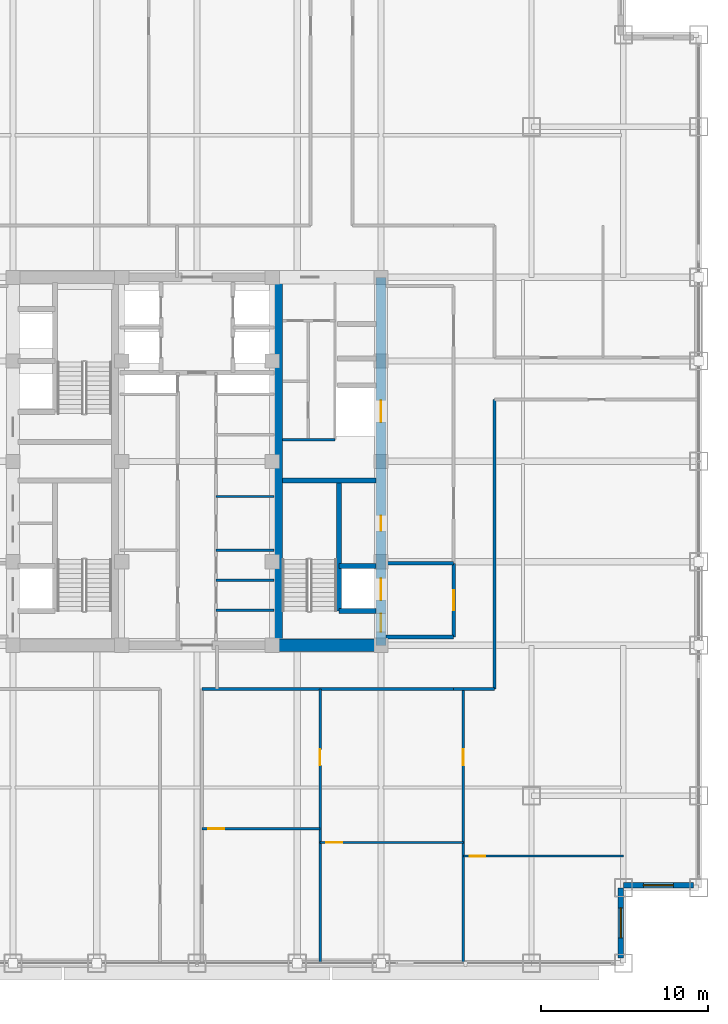
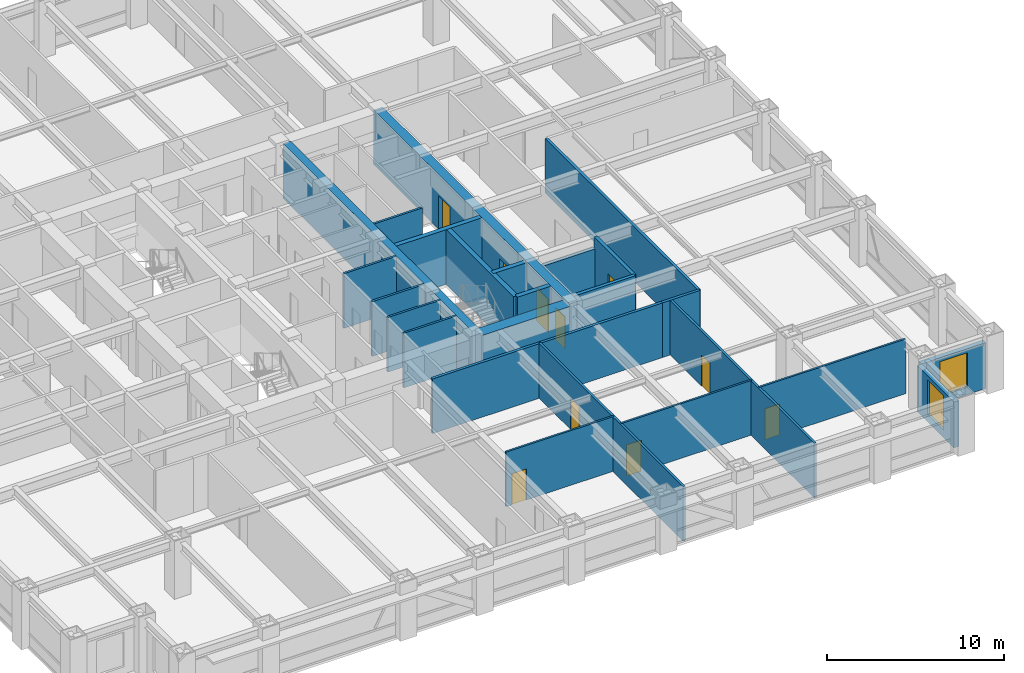
# One storey, part 21 of 28: 25 walls, 10 doors, 2 windows, 12 openings.
"""IFC4 building model written with IfcOpenShell, lengths in metres."""

from ifc_helpers import new_model, si_unit, direction, frame, frame_2d, origin, place, context, subcontext, project, spatial, rectangle, extrude, source, transform, mapped, material, layer, layer_set, type_object, element, fill, save


model = new_model("IFC4")

# Units and contexts
model_context = context("Model", 3, precision=1e-05, world=origin(), true_north=direction((0.0, 1.0)))
body_context = subcontext(model_context, "Body", "Model", "MODEL_VIEW")
ifc_project = project(units=[si_unit("LENGTHUNIT", "METRE"), si_unit("AREAUNIT", "SQUARE_METRE"), si_unit("VOLUMEUNIT", "CUBIC_METRE"), si_unit("PLANEANGLEUNIT", "RADIAN"), si_unit("MASSUNIT", "GRAM", prefix="KILO")], contexts=[model_context])

# Site, building, storey
site_placement = place(None, origin())
site = spatial("IfcSite", under=ifc_project, at=site_placement, CompositionType="ELEMENT")
building_placement = place(site_placement, origin())
building = spatial("IfcBuilding", under=site, at=building_placement, Name="Khorayat Bourse Tower", CompositionType="ELEMENT")
storey_placement = place(building_placement, frame((0.0, 0.0, 191.10009765625)))
storey = spatial("IfcBuildingStorey", under=building, at=storey_placement, Name="L44", CompositionType="ELEMENT", Elevation=191.10009765625)

# Wall, openings, doors
ifc_material_1 = material(Name="Concrete C60/75", Category="concrete")
ifc_layer_1 = layer(ifc_material_1, 0.60009765625)
ifc_layer_set_1 = layer_set([ifc_layer_1], Name="Concrete C60/75")
wall_type_1 = type_object("IfcWallType", Name="WAL-CORE-600", PredefinedType="SHEAR", material=ifc_layer_set_1)
shared_shape_1 = source(origin(), body_context, "Body", "SweptSolid", [
    extrude(rectangle(XDim=22.0, YDim=0.60009765625, at=frame_2d((11.0, 0.0))), origin(), (0.0, 0.0, 1.0), 3.77978515625),
])
wall_1_placement = place(storey_placement, frame((11.0, -11.0, 0.0), z_axis=(0.0, 0.0, 1.0), x_axis=(0.0, 1.0, 0.0)))
wall_1 = element("IfcWall", 1, at=wall_1_placement, inside=storey, type_object=wall_type_1, Name="L44 Core Shear Wall CORE-E", PredefinedType="SHEAR", context=body_context, shape_type="MappedRepresentation", body=[
    mapped(shared_shape_1, transform((0.0, 0.0, 0.0), scale=1.0)),
])
shared_shape_2 = source(origin(), body_context, "Body", "SweptSolid", [
    extrude(rectangle(XDim=1.10009765625, YDim=2.199951171875, at=frame_2d((0.550048828125, 1.10009765625))), frame((0.0, 0.31005859375, 0.0), z_axis=(0.0, -1.0, 0.0), x_axis=(1.0, 0.0, 0.0)), (0.0, 0.0, 1.0), 0.6201171875),
])
opening_1_placement = place(wall_1_placement, frame((0.800048828125, 0.0, 0.0)))
opening_1 = element("IfcOpeningElement", 2, at=opening_1_placement, cuts=wall_1, Name="Opening DI-01", PredefinedType="OPENING", context=body_context, shape_type="MappedRepresentation", body=[
    mapped(shared_shape_2, transform((0.0, 0.0, 0.0), scale=1.0)),
])
shared_shape_3 = source(origin(), body_context, "Body", "SweptSolid", [
    extrude(rectangle(XDim=0.89990234375, YDim=2.14990234375, at=frame_2d((0.449951171875, 1.074951171875))), frame((0.0, 0.31005859375, 0.0), z_axis=(0.0, -1.0, 0.0), x_axis=(1.0, 0.0, 0.0)), (0.0, 0.0, 1.0), 0.6201171875),
])
opening_2_placement = place(wall_1_placement, frame((6.85009765625, 0.0, 0.0)))
opening_2 = element("IfcOpeningElement", 3, at=opening_2_placement, cuts=wall_1, Name="Opening DI-06", PredefinedType="OPENING", context=body_context, shape_type="MappedRepresentation", body=[
    mapped(shared_shape_3, transform((0.0, 0.0, 0.0), scale=1.0)),
])
shared_shape_4 = source(origin(), body_context, "Body", "SweptSolid", [
    extrude(rectangle(XDim=1.300048828125, YDim=2.300048828125, at=frame_2d((0.64990234375, 1.14990234375))), frame((0.0, 0.31005859375, 0.0), z_axis=(0.0, -1.0, 0.0), x_axis=(1.0, 0.0, 0.0)), (0.0, 0.0, 1.0), 0.6201171875),
])
opening_3_placement = place(wall_1_placement, frame((2.699951171875, 0.0, 0.0)))
opening_3 = element("IfcOpeningElement", 4, at=opening_3_placement, cuts=wall_1, Name="Opening LD-02", PredefinedType="OPENING", context=body_context, shape_type="MappedRepresentation", body=[
    mapped(shared_shape_4, transform((0.0, 0.0, 0.0), scale=1.0)),
])
opening_4_placement = place(wall_1_placement, frame((13.35009765625, 0.0, 0.0)))
opening_4 = element("IfcOpeningElement", 5, at=opening_4_placement, cuts=wall_1, Name="Opening LD-02", PredefinedType="OPENING", context=body_context, shape_type="MappedRepresentation", body=[
    mapped(shared_shape_4, transform((0.0, 0.0, 0.0), scale=1.0)),
])
ifc_material_2 = material(Name="Fire-rated steel acoustic leaf", Category="steel")
door_type_1 = type_object("IfcDoorType", Name="DR-INT-STAIR-1100", OperationType="NOTDEFINED", PredefinedType="DOOR", material=ifc_material_2)
shared_shape_5 = source(origin(), body_context, "Body", "SweptSolid", [
    extrude(rectangle(XDim=1.10009765625, YDim=2.199951171875, at=frame_2d((0.550048828125, 1.10009765625))), frame((0.0, 0.02490234375, 0.0), z_axis=(0.0, -1.0, 0.0), x_axis=(1.0, 0.0, 0.0)), (0.0, 0.0, 1.0), 0.050048828125),
])
door_1_placement = place(opening_1_placement, origin())
door_1 = element("IfcDoor", 6, at=door_1_placement, inside=storey, type_object=door_type_1, Name="L44 Exit Stair 3 Door", OperationType="SINGLE_SWING_LEFT", OverallHeight=2.199951171875, OverallWidth=1.10009765625, PredefinedType="DOOR", context=body_context, shape_type="MappedRepresentation", body=[
    mapped(shared_shape_5, transform((0.0, 0.0, 0.0), scale=1.0)),
])
fill(opening_1, door_1)
ifc_material_3 = material(Name="Moisture-resistant laminate washroom door")
door_type_2 = type_object("IfcDoorType", Name="DR-INT-WC-900", OperationType="NOTDEFINED", PredefinedType="DOOR", material=ifc_material_3)
shared_shape_6 = source(origin(), body_context, "Body", "SweptSolid", [
    extrude(rectangle(XDim=0.89990234375, YDim=2.14990234375, at=frame_2d((0.449951171875, 1.074951171875))), frame((0.0, 0.02490234375, 0.0), z_axis=(0.0, -1.0, 0.0), x_axis=(1.0, 0.0, 0.0)), (0.0, 0.0, 1.0), 0.050048828125),
])
door_2_placement = place(opening_2_placement, origin())
door_2 = element("IfcDoor", 7, at=door_2_placement, inside=storey, type_object=door_type_2, Name="L44 Telecom Server Plant Room Door", OperationType="SINGLE_SWING_LEFT", OverallHeight=2.14990234375, OverallWidth=0.89990234375, PredefinedType="DOOR", context=body_context, shape_type="MappedRepresentation", body=[
    mapped(shared_shape_6, transform((0.0, 0.0, 0.0), scale=1.0)),
])
fill(opening_2, door_2)
ifc_material_4 = material(Name="Fire-rated stainless-steel sliding landing door", Category="steel")
door_type_3 = type_object("IfcDoorType", Name="DR-LIFT-FF-1300", OperationType="NOTDEFINED", PredefinedType="DOOR", material=ifc_material_4)
shared_shape_7 = source(origin(), body_context, "Body", "SweptSolid", [
    extrude(rectangle(XDim=1.300048828125, YDim=2.300048828125, at=frame_2d((0.64990234375, 1.14990234375))), frame((0.0, 0.02490234375, 0.0), z_axis=(0.0, -1.0, 0.0), x_axis=(1.0, 0.0, 0.0)), (0.0, 0.0, 1.0), 0.050048828125),
])
door_3_placement = place(opening_3_placement, origin())
door_3 = element("IfcDoor", 8, at=door_3_placement, inside=storey, type_object=door_type_3, Name="L44 Lift FFL-02 Sliding Landing Door", OperationType="SLIDING_TO_LEFT", OverallHeight=2.300048828125, OverallWidth=1.300048828125, PredefinedType="DOOR", context=body_context, shape_type="MappedRepresentation", body=[
    mapped(shared_shape_7, transform((0.0, 0.0, 0.0), scale=1.0)),
])
fill(opening_3, door_3)
door_4_placement = place(opening_4_placement, origin())
door_4 = element("IfcDoor", 9, at=door_4_placement, inside=storey, type_object=door_type_3, Name="L44 Lift SVL-01 Sliding Landing Door", OperationType="SLIDING_TO_LEFT", OverallHeight=2.300048828125, OverallWidth=1.300048828125, PredefinedType="DOOR", context=body_context, shape_type="MappedRepresentation", body=[
    mapped(shared_shape_7, transform((0.0, 0.0, 0.0), scale=1.0)),
])
fill(opening_4, door_4)

# Walls
ifc_material_5 = material(Name="Concrete C52/65", Category="concrete")
ifc_layer_2 = layer(ifc_material_5, 0.5)
ifc_layer_set_2 = layer_set([ifc_layer_2], Name="Concrete C52/65")
wall_type_2 = type_object("IfcWallType", Name="WAL-CORE-500", PredefinedType="SHEAR", material=ifc_layer_set_2)
shared_shape_8 = source(origin(), body_context, "Body", "SweptSolid", [
    extrude(rectangle(XDim=21.39990234375, YDim=0.5, at=frame_2d((10.699951171875, 0.0))), origin(), (0.0, 0.0, 1.0), 3.77978515625),
])
wall_2_placement = place(storey_placement, frame((4.85009765625, -10.699951171875, 0.0), z_axis=(0.0, 0.0, 1.0), x_axis=(0.0, 1.0, 0.0)))
element("IfcWall", 10, at=wall_2_placement, inside=storey, type_object=wall_type_2, Name="L44 Core Shear Wall PIER-E", PredefinedType="SHEAR", context=body_context, shape_type="MappedRepresentation", body=[
    mapped(shared_shape_8, transform((0.0, 0.0, 0.0), scale=1.0)),
])
ifc_material_6 = material(Name="Concrete C72/90", Category="concrete")
ifc_layer_3 = layer(ifc_material_6, 0.75)
ifc_layer_set_3 = layer_set([ifc_layer_3], Name="Concrete C72/90")
wall_type_3 = type_object("IfcWallType", Name="WAL-CORE-750", PredefinedType="SHEAR", material=ifc_layer_set_3)
shared_shape_9 = source(origin(), body_context, "Body", "SweptSolid", [
    extrude(rectangle(XDim=5.849853515625, YDim=0.75, at=frame_2d((2.9248046875, 0.0))), origin(), (0.0, 0.0, 1.0), 3.77978515625),
])
wall_3_placement = place(storey_placement, frame((4.85009765625, -11.0, 0.0), z_axis=(0.0, 0.0, 1.0), x_axis=(1.0, 0.0, 0.0)))
element("IfcWall", 11, at=wall_3_placement, inside=storey, type_object=wall_type_3, Name="L44 Core Shear Wall PIER-ES", PredefinedType="SHEAR", context=body_context, shape_type="MappedRepresentation", body=[
    mapped(shared_shape_9, transform((0.0, 0.0, 0.0), scale=1.0)),
])
ifc_material_7 = material(Name="Concrete C50/60", Category="concrete")
ifc_layer_4 = layer(ifc_material_7, 0.300048828125)
ifc_layer_set_4 = layer_set([ifc_layer_4], Name="Concrete C50/60")
wall_type_4 = type_object("IfcWallType", Name="WAL-SHAFT-300", PredefinedType="SHEAR", material=ifc_layer_set_4)
shared_shape_10 = source(origin(), body_context, "Body", "SweptSolid", [
    extrude(rectangle(XDim=5.599853515625, YDim=0.300048828125, at=frame_2d((2.7998046875, 0.0))), origin(), (0.0, 0.0, 1.0), 3.77978515625),
])
wall_4_placement = place(storey_placement, frame((5.10009765625, -1.14990234375, 0.0), z_axis=(0.0, 0.0, 1.0), x_axis=(1.0, 0.0, 0.0)))
element("IfcWall", 12, at=wall_4_placement, inside=storey, type_object=wall_type_4, Name="L44 Core Shear Wall ST3-DIV", PredefinedType="SHEAR", context=body_context, shape_type="MappedRepresentation", body=[
    mapped(shared_shape_10, transform((0.0, 0.0, 0.0), scale=1.0)),
])

# Wall, opening, window
ifc_material_8 = material(Name="Precast concrete C45/55", Category="concrete")
ifc_layer_5 = layer(ifc_material_8, 0.320068359375)
ifc_layer_set_5 = layer_set([ifc_layer_5], Name="Precast concrete C45/55")
wall_type_5 = type_object("IfcWallType", Name="WAL-EXT-STONE-320", PredefinedType="STANDARD", material=ifc_layer_set_5)
shared_shape_11 = source(origin(), body_context, "Body", "SweptSolid", [
    extrude(rectangle(XDim=4.179931640625, YDim=0.320068359375, at=frame_2d((2.08984375, 0.0))), origin(), (0.0, 0.0, 1.0), 3.163818359375),
])
wall_5_placement = place(storey_placement, frame((25.340087890625, -29.679931640625, 0.0), z_axis=(0.0, 0.0, 1.0), x_axis=(0.0, 1.0, 0.0)))
wall_5 = element("IfcWall", 13, at=wall_5_placement, inside=storey, type_object=wall_type_5, Name="L44 Re-Entrant Notch Limestone Wall SE-V", PredefinedType="STANDARD", context=body_context, shape_type="MappedRepresentation", body=[
    mapped(shared_shape_11, transform((0.0, 0.0, 0.0), scale=1.0)),
])
shared_shape_12 = source(origin(), body_context, "Body", "SweptSolid", [
    extrude(rectangle(XDim=1.800048828125, YDim=2.39990234375, at=frame_2d((0.89990234375, 1.199951171875))), frame((0.0, 0.169921875, 0.0), z_axis=(0.0, -1.0, 0.0), x_axis=(1.0, 0.0, 0.0)), (0.0, 0.0, 1.0), 0.340087890625),
])
opening_5_placement = place(wall_5_placement, frame((1.18994140625, 0.0, 0.5)))
opening_5 = element("IfcOpeningElement", 14, at=opening_5_placement, cuts=wall_5, Name="Opening WN-04", PredefinedType="OPENING", context=body_context, shape_type="MappedRepresentation", body=[
    mapped(shared_shape_12, transform((0.0, 0.0, 0.0), scale=1.0)),
])
ifc_material_9 = material(Name="Low-E acoustic laminated double glazing", Category="glass")
window_type = type_object("IfcWindowType", Name="WIN-NOTCH-1800x2400", PartitioningType="SINGLE_PANEL", PredefinedType="WINDOW", material=ifc_material_9)
shared_shape_13 = source(origin(), body_context, "Body", "SweptSolid", [
    extrude(rectangle(XDim=1.800048828125, YDim=2.39990234375, at=frame_2d((0.89990234375, 1.199951171875))), frame((0.0, 0.030029296875, 0.0), z_axis=(0.0, -1.0, 0.0), x_axis=(1.0, 0.0, 0.0)), (0.0, 0.0, 1.0), 0.06005859375),
])
window_1_placement = place(opening_5_placement, origin())
window_1 = element("IfcWindow", 15, at=window_1_placement, inside=storey, type_object=window_type, Name="L44 Facade Window 1", OverallHeight=2.39990234375, OverallWidth=1.800048828125, PartitioningType="SINGLE_PANEL", PredefinedType="WINDOW", context=body_context, shape_type="MappedRepresentation", body=[
    mapped(shared_shape_13, transform((0.0, 0.0, 0.0), scale=1.0)),
])
fill(opening_5, window_1)

wall_6_placement = place(storey_placement, frame((25.5, -25.340087890625, 0.0), z_axis=(0.0, 0.0, 1.0), x_axis=(1.0, 0.0, 0.0)))
wall_6 = element("IfcWall", 16, at=wall_6_placement, inside=storey, type_object=wall_type_5, Name="L44 Re-Entrant Notch Limestone Wall SE-H", PredefinedType="STANDARD", context=body_context, shape_type="MappedRepresentation", body=[
    mapped(shared_shape_11, transform((0.0, 0.0, 0.0), scale=1.0)),
])
opening_6_placement = place(wall_6_placement, frame((1.18994140625, 0.0, 0.5)))
opening_6 = element("IfcOpeningElement", 17, at=opening_6_placement, cuts=wall_6, Name="Opening WN-04", PredefinedType="OPENING", context=body_context, shape_type="MappedRepresentation", body=[
    mapped(shared_shape_12, transform((0.0, 0.0, 0.0), scale=1.0)),
])
window_2_placement = place(opening_6_placement, origin())
window_2 = element("IfcWindow", 18, at=window_2_placement, inside=storey, type_object=window_type, Name="L44 Facade Window 1", OverallHeight=2.39990234375, OverallWidth=1.800048828125, PartitioningType="SINGLE_PANEL", PredefinedType="WINDOW", context=body_context, shape_type="MappedRepresentation", body=[
    mapped(shared_shape_13, transform((0.0, 0.0, 0.0), scale=1.0)),
])
fill(opening_6, window_2)

# Walls
shared_shape_14 = source(origin(), body_context, "Body", "SweptSolid", [
    extrude(rectangle(XDim=7.800048828125, YDim=0.300048828125, at=frame_2d((3.89990234375, 0.0))), origin(), (0.0, 0.0, 1.0), 3.77978515625),
])
wall_7_placement = place(storey_placement, frame((8.5, -8.949951171875, 0.0), z_axis=(0.0, 0.0, 1.0), x_axis=(0.0, 1.0, 0.0)))
element("IfcWall", 19, at=wall_7_placement, inside=storey, type_object=wall_type_4, Name="L44 Partition WAL-L44-EPIER-SP", PredefinedType="SHEAR", context=body_context, shape_type="MappedRepresentation", body=[
    mapped(shared_shape_14, transform((0.0, 0.0, 0.0), scale=1.0)),
])
shared_shape_15 = source(origin(), body_context, "Body", "SweptSolid", [
    extrude(rectangle(XDim=2.199951171875, YDim=0.300048828125, at=frame_2d((1.10009765625, 0.0))), origin(), (0.0, 0.0, 1.0), 3.77978515625),
])
for number, where, z_axis, x_axis, name in (
    (20, (8.5, -8.949951171875, 0.0), (0.0, 0.0, 1.0), (1.0, 0.0, 0.0), "L44 Partition WAL-L44-EPIER-FF2S"),
    (21, (8.5, -6.25, 0.0), (0.0, 0.0, 1.0), (1.0, 0.0, 0.0), "L44 Partition WAL-L44-EPIER-FF2N"),
):
    element("IfcWall", number, at=place(storey_placement, frame(where, z_axis=z_axis, x_axis=x_axis)), inside=storey, type_object=wall_type_4, Name=name, PredefinedType="SHEAR", context=body_context, shape_type="MappedRepresentation", body=[
        mapped(shared_shape_15, transform((0.0, 0.0, 0.0), scale=1.0)),
    ])
ifc_material_10 = material(Name="Moisture-resistant masonry partition", Category="masonry")
ifc_layer_6 = layer(ifc_material_10, 0.139892578125)
ifc_layer_set_6 = layer_set([ifc_layer_6], Name="Moisture-resistant masonry partition")
wall_type_6 = type_object("IfcWallType", Name="WAL-PART-WET-140", PredefinedType="PARTITIONING", material=ifc_layer_set_6)
shared_shape_16 = source(origin(), body_context, "Body", "SweptSolid", [
    extrude(rectangle(XDim=3.14990234375, YDim=0.139892578125, at=frame_2d((1.574951171875, 0.0))), origin(), (0.0, 0.0, 1.0), 3.77978515625),
])
wall_8_placement = place(storey_placement, frame((5.10009765625, 1.300048828125, 0.0), z_axis=(0.0, 0.0, 1.0), x_axis=(1.0, 0.0, 0.0)))
element("IfcWall", 22, at=wall_8_placement, inside=storey, type_object=wall_type_6, Name="L44 Partition WAL-L44-ECORE-S", PredefinedType="PARTITIONING", context=body_context, shape_type="MappedRepresentation", body=[
    mapped(shared_shape_16, transform((0.0, 0.0, 0.0), scale=1.0)),
])
ifc_material_11 = material(Name="Aerated concrete blockwork", Category="masonry")
ifc_layer_7 = layer(ifc_material_11, 0.219970703125)
ifc_layer_set_7 = layer_set([ifc_layer_7], Name="Aerated concrete blockwork")
wall_type_7 = type_object("IfcWallType", Name="WAL-PART-FF-220", PredefinedType="PARTITIONING", material=ifc_layer_set_7)
shared_shape_17 = source(origin(), body_context, "Body", "SweptSolid", [
    extrude(rectangle(XDim=4.050048828125, YDim=0.219970703125, at=frame_2d((2.02490234375, 0.0))), origin(), (0.0, 0.0, 1.0), 3.77978515625),
])
wall_9_placement = place(storey_placement, frame((11.300048828125, -10.5, 0.0), z_axis=(0.0, 0.0, 1.0), x_axis=(1.0, 0.0, 0.0)))
element("IfcWall", 23, at=wall_9_placement, inside=storey, type_object=wall_type_7, Name="L44 Partition WAL-L44-FFLE-S", PredefinedType="PARTITIONING", context=body_context, shape_type="MappedRepresentation", body=[
    mapped(shared_shape_17, transform((0.0, 0.0, 0.0), scale=1.0)),
])
shared_shape_18 = source(origin(), body_context, "Body", "SweptSolid", [
    extrude(rectangle(XDim=4.050048828125, YDim=0.219970703125, at=frame_2d((2.02490234375, 0.0))), origin(), (0.0, 0.0, 1.0), 3.0068359375),
])
wall_10_placement = place(storey_placement, frame((11.300048828125, -6.10009765625, 0.0), z_axis=(0.0, 0.0, 1.0), x_axis=(1.0, 0.0, 0.0)))
element("IfcWall", 24, at=wall_10_placement, inside=storey, type_object=wall_type_7, Name="L44 Partition WAL-L44-FFLE-N", PredefinedType="PARTITIONING", context=body_context, shape_type="MappedRepresentation", body=[
    mapped(shared_shape_18, transform((0.0, 0.0, 0.0), scale=1.0)),
])

# Wall, opening, door
shared_shape_19 = source(origin(), body_context, "Body", "SweptSolid", [
    extrude(rectangle(XDim=4.39990234375, YDim=0.219970703125, at=frame_2d((2.199951171875, 0.0))), origin(), (0.0, 0.0, 1.0), 3.77978515625),
])
wall_11_placement = place(storey_placement, frame((15.35009765625, -10.5, 0.0), z_axis=(0.0, 0.0, 1.0), x_axis=(0.0, 1.0, 0.0)))
wall_11 = element("IfcWall", 25, at=wall_11_placement, inside=storey, type_object=wall_type_7, Name="L44 Partition WAL-L44-FFLE-E", PredefinedType="PARTITIONING", context=body_context, shape_type="MappedRepresentation", body=[
    mapped(shared_shape_19, transform((0.0, 0.0, 0.0), scale=1.0)),
])
shared_shape_20 = source(origin(), body_context, "Body", "SweptSolid", [
    extrude(rectangle(XDim=1.199951171875, YDim=2.199951171875, at=frame_2d((0.60009765625, 1.10009765625))), frame((0.0, 0.119873046875, 0.0), z_axis=(0.0, -1.0, 0.0), x_axis=(1.0, 0.0, 0.0)), (0.0, 0.0, 1.0), 0.239990234375),
])
opening_7_placement = place(wall_11_placement, frame((1.60009765625, 0.0, 0.0)))
opening_7 = element("IfcOpeningElement", 26, at=opening_7_placement, cuts=wall_11, Name="Opening DI-02", PredefinedType="OPENING", context=body_context, shape_type="MappedRepresentation", body=[
    mapped(shared_shape_20, transform((0.0, 0.0, 0.0), scale=1.0)),
])
ifc_material_12 = material(Name="Fire-rated steel double-seal leaf", Category="steel")
door_type_4 = type_object("IfcDoorType", Name="DR-INT-FFLOBBY-1200", OperationType="NOTDEFINED", PredefinedType="DOOR", material=ifc_material_12)
shared_shape_21 = source(origin(), body_context, "Body", "SweptSolid", [
    extrude(rectangle(XDim=1.199951171875, YDim=2.199951171875, at=frame_2d((0.60009765625, 1.10009765625))), frame((0.0, 0.02490234375, 0.0), z_axis=(0.0, -1.0, 0.0), x_axis=(1.0, 0.0, 0.0)), (0.0, 0.0, 1.0), 0.050048828125),
])
door_5_placement = place(opening_7_placement, origin())
door_5 = element("IfcDoor", 27, at=door_5_placement, inside=storey, type_object=door_type_4, Name="L44 East Firefighting Lobby Door", OperationType="SINGLE_SWING_RIGHT", OverallHeight=2.199951171875, OverallWidth=1.199951171875, PredefinedType="DOOR", context=body_context, shape_type="MappedRepresentation", body=[
    mapped(shared_shape_21, transform((0.0, 0.0, 0.0), scale=1.0)),
])
fill(opening_7, door_5)

# Walls
ifc_material_13 = material(Name="Gypsum plasterboard twin-frame partition")
ifc_layer_8 = layer(ifc_material_13, 0.14990234375)
ifc_layer_set_8 = layer_set([ifc_layer_8], Name="Gypsum plasterboard twin-frame partition")
wall_type_8 = type_object("IfcWallType", Name="WAL-PART-SUITE-150", PredefinedType="PARTITIONING", material=ifc_layer_set_8)
shared_shape_22 = source(origin(), body_context, "Body", "SweptSolid", [
    extrude(rectangle(XDim=3.4501953125, YDim=0.14990234375, at=frame_2d((1.72509765625, 0.0))), origin(), (0.0, 0.0, 1.0), 3.77978515625),
])
wall_12_placement = place(storey_placement, frame((1.14990234375, -5.300048828125, 0.0), z_axis=(0.0, 0.0, 1.0), x_axis=(1.0, 0.0, 0.0)))
element("IfcWall", 28, at=wall_12_placement, inside=storey, type_object=wall_type_8, Name="L44 Partition WAL-L44-FB1-NE", PredefinedType="PARTITIONING", context=body_context, shape_type="MappedRepresentation", body=[
    mapped(shared_shape_22, transform((0.0, 0.0, 0.0), scale=1.0)),
])
shared_shape_23 = source(origin(), body_context, "Body", "SweptSolid", [
    extrude(rectangle(XDim=3.4501953125, YDim=0.139892578125, at=frame_2d((1.72509765625, 0.0))), origin(), (0.0, 0.0, 1.0), 3.77978515625),
])
for number, where, z_axis, x_axis, name in (
    (29, (1.14990234375, -8.89990234375, 0.0), (0.0, 0.0, 1.0), (1.0, 0.0, 0.0), "L44 Partition WAL-L44-FB1E-D1"),
    (30, (1.14990234375, -7.10009765625, 0.0), (0.0, 0.0, 1.0), (1.0, 0.0, 0.0), "L44 Partition WAL-L44-FB1E-D2"),
    (31, (1.14990234375, -2.10009765625, 0.0), (0.0, 0.0, 1.0), (1.0, 0.0, 0.0), "L44 Partition WAL-L44-CME-D1"),
):
    element("IfcWall", number, at=place(storey_placement, frame(where, z_axis=z_axis, x_axis=x_axis)), inside=storey, type_object=wall_type_6, Name=name, PredefinedType="PARTITIONING", context=body_context, shape_type="MappedRepresentation", body=[
        mapped(shared_shape_23, transform((0.0, 0.0, 0.0), scale=1.0)),
    ])
ifc_material_14 = material(Name="Gypsum plasterboard acoustic stud wall")
ifc_layer_9 = layer(ifc_material_14, 0.179931640625)
ifc_layer_set_9 = layer_set([ifc_layer_9], Name="Gypsum plasterboard acoustic stud wall")
wall_type_9 = type_object("IfcWallType", Name="WAL-PART-CORR-180", PredefinedType="PARTITIONING", material=ifc_layer_set_9)
shared_shape_24 = source(origin(), body_context, "Body", "SweptSolid", [
    extrude(rectangle(XDim=2.449951171875, YDim=0.179931640625, at=frame_2d((1.22509765625, 0.0))), origin(), (0.0, 0.0, 1.0), 3.77978515625),
])
wall_13_placement = place(storey_placement, frame((15.35009765625, -13.60009765625, 0.0), z_axis=(0.0, 0.0, 1.0), x_axis=(1.0, 0.0, 0.0)))
element("IfcWall", 32, at=wall_13_placement, inside=storey, type_object=wall_type_9, Name="L44 Partition WAL-L44-C2-ES", PredefinedType="PARTITIONING", context=body_context, shape_type="MappedRepresentation", body=[
    mapped(shared_shape_24, transform((0.0, 0.0, 0.0), scale=1.0)),
])

# Wall, opening, door
shared_shape_25 = source(origin(), body_context, "Body", "SweptSolid", [
    extrude(rectangle(XDim=16.39990234375, YDim=0.14990234375, at=frame_2d((8.199951171875, 0.0))), origin(), (0.0, 0.0, 1.0), 3.77978515625),
])
wall_14_placement = place(storey_placement, frame((7.35595703125, -30.0, 0.0), z_axis=(0.0, 0.0, 1.0), x_axis=(0.0, 1.0, 0.0)))
wall_14 = element("IfcWall", 33, at=wall_14_placement, inside=storey, type_object=wall_type_8, Name="L44 Partition WAL-L44-QSEDV-1", PredefinedType="PARTITIONING", context=body_context, shape_type="MappedRepresentation", body=[
    mapped(shared_shape_25, transform((0.0, 0.0, 0.0), scale=1.0)),
])
shared_shape_26 = source(origin(), body_context, "Body", "SweptSolid", [
    extrude(rectangle(XDim=0.949951171875, YDim=2.14990234375, at=frame_2d((0.47509765625, 1.074951171875))), frame((0.0, 0.0849609375, 0.0), z_axis=(0.0, -1.0, 0.0), x_axis=(1.0, 0.0, 0.0)), (0.0, 0.0, 1.0), 0.169921875),
])
opening_8_placement = place(wall_14_placement, frame((11.824951171875, 0.0, 0.0)))
opening_8 = element("IfcOpeningElement", 34, at=opening_8_placement, cuts=wall_14, Name="Opening DI-05", PredefinedType="OPENING", context=body_context, shape_type="MappedRepresentation", body=[
    mapped(shared_shape_26, transform((0.0, 0.0, 0.0), scale=1.0)),
])
ifc_material_15 = material(Name="Acoustic oak veneer office door")
door_type_5 = type_object("IfcDoorType", Name="DR-INT-OFFICE-950", OperationType="NOTDEFINED", PredefinedType="DOOR", material=ifc_material_15)
shared_shape_27 = source(origin(), body_context, "Body", "SweptSolid", [
    extrude(rectangle(XDim=0.949951171875, YDim=2.14990234375, at=frame_2d((0.47509765625, 1.074951171875))), frame((0.0, 0.02490234375, 0.0), z_axis=(0.0, -1.0, 0.0), x_axis=(1.0, 0.0, 0.0)), (0.0, 0.0, 1.0), 0.050048828125),
])
door_6_placement = place(opening_8_placement, origin())
door_6 = element("IfcDoor", 35, at=door_6_placement, inside=storey, type_object=door_type_5, Name="L44 South-East Suite Link 1", OperationType="SINGLE_SWING_RIGHT", OverallHeight=2.14990234375, OverallWidth=0.949951171875, PredefinedType="DOOR", context=body_context, shape_type="MappedRepresentation", body=[
    mapped(shared_shape_27, transform((0.0, 0.0, 0.0), scale=1.0)),
])
fill(opening_8, door_6)

wall_15_placement = place(storey_placement, frame((15.924072265625, -30.0, 0.0), z_axis=(0.0, 0.0, 1.0), x_axis=(0.0, 1.0, 0.0)))
wall_15 = element("IfcWall", 36, at=wall_15_placement, inside=storey, type_object=wall_type_8, Name="L44 Partition WAL-L44-QSEDV-2", PredefinedType="PARTITIONING", context=body_context, shape_type="MappedRepresentation", body=[
    mapped(shared_shape_25, transform((0.0, 0.0, 0.0), scale=1.0)),
])
opening_9_placement = place(wall_15_placement, frame((11.824951171875, 0.0, 0.0)))
opening_9 = element("IfcOpeningElement", 37, at=opening_9_placement, cuts=wall_15, Name="Opening DI-05", PredefinedType="OPENING", context=body_context, shape_type="MappedRepresentation", body=[
    mapped(shared_shape_26, transform((0.0, 0.0, 0.0), scale=1.0)),
])
door_7_placement = place(opening_9_placement, origin())
door_7 = element("IfcDoor", 38, at=door_7_placement, inside=storey, type_object=door_type_5, Name="L44 South-East Suite Link 2", OperationType="SINGLE_SWING_LEFT", OverallHeight=2.14990234375, OverallWidth=0.949951171875, PredefinedType="DOOR", context=body_context, shape_type="MappedRepresentation", body=[
    mapped(shared_shape_27, transform((0.0, 0.0, 0.0), scale=1.0)),
])
fill(opening_9, door_7)

ifc_material_16 = material(Name="Gypsum plasterboard partition")
ifc_layer_10 = layer(ifc_material_16, 0.125)
ifc_layer_set_10 = layer_set([ifc_layer_10], Name="Gypsum plasterboard partition")
wall_type_10 = type_object("IfcWallType", Name="WAL-PART-ROOM-125", PredefinedType="PARTITIONING", material=ifc_layer_set_10)
shared_shape_28 = source(origin(), body_context, "Body", "SweptSolid", [
    extrude(rectangle(XDim=7.055908203125, YDim=0.125, at=frame_2d((3.52783203125, 0.0))), origin(), (0.0, 0.0, 1.0), 3.77978515625),
])
wall_16_placement = place(storey_placement, frame((0.300048828125, -21.964111328125, 0.0), z_axis=(0.0, 0.0, 1.0), x_axis=(1.0, 0.0, 0.0)))
wall_16 = element("IfcWall", 39, at=wall_16_placement, inside=storey, type_object=wall_type_10, Name="L44 Partition WAL-L44-QSEDP-1", PredefinedType="PARTITIONING", context=body_context, shape_type="MappedRepresentation", body=[
    mapped(shared_shape_28, transform((0.0, 0.0, 0.0), scale=1.0)),
])
shared_shape_29 = source(origin(), body_context, "Body", "SweptSolid", [
    extrude(rectangle(XDim=0.949951171875, YDim=2.14990234375, at=frame_2d((0.47509765625, 1.074951171875))), frame((0.0, 0.072509765625, 0.0), z_axis=(0.0, -1.0, 0.0), x_axis=(1.0, 0.0, 0.0)), (0.0, 0.0, 1.0), 0.14501953125),
])
opening_10_placement = place(wall_16_placement, frame((0.375, 0.0, 0.0)))
opening_10 = element("IfcOpeningElement", 40, at=opening_10_placement, cuts=wall_16, Name="Opening DI-05", PredefinedType="OPENING", context=body_context, shape_type="MappedRepresentation", body=[
    mapped(shared_shape_29, transform((0.0, 0.0, 0.0), scale=1.0)),
])
door_8_placement = place(opening_10_placement, origin())
door_8 = element("IfcDoor", 41, at=door_8_placement, inside=storey, type_object=door_type_5, Name="L44 South-East Members Club Room 1B Door", OperationType="SINGLE_SWING_RIGHT", OverallHeight=2.14990234375, OverallWidth=0.949951171875, PredefinedType="DOOR", context=body_context, shape_type="MappedRepresentation", body=[
    mapped(shared_shape_27, transform((0.0, 0.0, 0.0), scale=1.0)),
])
fill(opening_10, door_8)

shared_shape_30 = source(origin(), body_context, "Body", "SweptSolid", [
    extrude(rectangle(XDim=8.568115234375, YDim=0.125, at=frame_2d((4.2841796875, 0.0))), origin(), (0.0, 0.0, 1.0), 3.77978515625),
])
wall_17_placement = place(storey_placement, frame((7.35595703125, -22.783935546875, 0.0), z_axis=(0.0, 0.0, 1.0), x_axis=(1.0, 0.0, 0.0)))
wall_17 = element("IfcWall", 42, at=wall_17_placement, inside=storey, type_object=wall_type_10, Name="L44 Partition WAL-L44-QSEDP-2", PredefinedType="PARTITIONING", context=body_context, shape_type="MappedRepresentation", body=[
    mapped(shared_shape_30, transform((0.0, 0.0, 0.0), scale=1.0)),
])
opening_11_placement = place(wall_17_placement, frame((0.375, 0.0, 0.0)))
opening_11 = element("IfcOpeningElement", 43, at=opening_11_placement, cuts=wall_17, Name="Opening DI-05", PredefinedType="OPENING", context=body_context, shape_type="MappedRepresentation", body=[
    mapped(shared_shape_29, transform((0.0, 0.0, 0.0), scale=1.0)),
])
door_9_placement = place(opening_11_placement, origin())
door_9 = element("IfcDoor", 44, at=door_9_placement, inside=storey, type_object=door_type_5, Name="L44 South-East Members Dining Room 2B Door", OperationType="SINGLE_SWING_LEFT", OverallHeight=2.14990234375, OverallWidth=0.949951171875, PredefinedType="DOOR", context=body_context, shape_type="MappedRepresentation", body=[
    mapped(shared_shape_27, transform((0.0, 0.0, 0.0), scale=1.0)),
])
fill(opening_11, door_9)

shared_shape_31 = source(origin(), body_context, "Body", "SweptSolid", [
    extrude(rectangle(XDim=9.575927734375, YDim=0.125, at=frame_2d((4.7880859375, 0.0))), origin(), (0.0, 0.0, 1.0), 3.77978515625),
])
wall_18_placement = place(storey_placement, frame((15.924072265625, -23.60400390625, 0.0), z_axis=(0.0, 0.0, 1.0), x_axis=(1.0, 0.0, 0.0)))
wall_18 = element("IfcWall", 45, at=wall_18_placement, inside=storey, type_object=wall_type_10, Name="L44 Partition WAL-L44-QSEDP-3", PredefinedType="PARTITIONING", context=body_context, shape_type="MappedRepresentation", body=[
    mapped(shared_shape_31, transform((0.0, 0.0, 0.0), scale=1.0)),
])
opening_12_placement = place(wall_18_placement, frame((0.375, 0.0, 0.0)))
opening_12 = element("IfcOpeningElement", 46, at=opening_12_placement, cuts=wall_18, Name="Opening DI-05", PredefinedType="OPENING", context=body_context, shape_type="MappedRepresentation", body=[
    mapped(shared_shape_29, transform((0.0, 0.0, 0.0), scale=1.0)),
])
door_10_placement = place(opening_12_placement, origin())
door_10 = element("IfcDoor", 47, at=door_10_placement, inside=storey, type_object=door_type_5, Name="L44 South-East Clearing Records Archive Store 3B Door", OperationType="SINGLE_SWING_RIGHT", OverallHeight=2.14990234375, OverallWidth=0.949951171875, PredefinedType="DOOR", context=body_context, shape_type="MappedRepresentation", body=[
    mapped(shared_shape_27, transform((0.0, 0.0, 0.0), scale=1.0)),
])
fill(opening_12, door_10)

# Walls
shared_shape_32 = source(origin(), body_context, "Body", "SweptSolid", [
    extrude(rectangle(XDim=15.050048828125, YDim=0.179931640625, at=frame_2d((7.52490234375, 0.0))), origin(), (0.0, 0.0, 1.0), 3.77978515625),
])
wall_19_placement = place(storey_placement, frame((0.300048828125, -13.60009765625, 0.0), z_axis=(0.0, 0.0, 1.0), x_axis=(1.0, 0.0, 0.0)))
element("IfcWall", 48, at=wall_19_placement, inside=storey, type_object=wall_type_9, Name="L44 Partition WAL-L44-QSE-HC", PredefinedType="PARTITIONING", context=body_context, shape_type="MappedRepresentation", body=[
    mapped(shared_shape_32, transform((0.0, 0.0, 0.0), scale=1.0)),
])
shared_shape_33 = source(origin(), body_context, "Body", "SweptSolid", [
    extrude(rectangle(XDim=17.300048828125, YDim=0.179931640625, at=frame_2d((8.64990234375, 0.0))), origin(), (0.0, 0.0, 1.0), 3.77978515625),
])
wall_20_placement = place(storey_placement, frame((17.800048828125, -13.60009765625, 0.0), z_axis=(0.0, 0.0, 1.0), x_axis=(0.0, 1.0, 0.0)))
element("IfcWall", 49, at=wall_20_placement, inside=storey, type_object=wall_type_9, Name="L44 Partition WAL-L44-ES-IN", PredefinedType="PARTITIONING", context=body_context, shape_type="MappedRepresentation", body=[
    mapped(shared_shape_33, transform((0.0, 0.0, 0.0), scale=1.0)),
])

save(model, "model.ifc")
